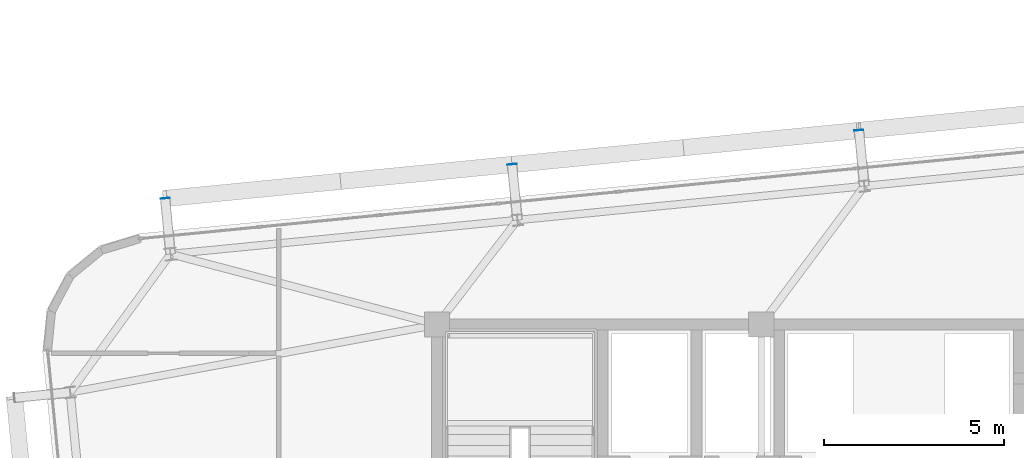
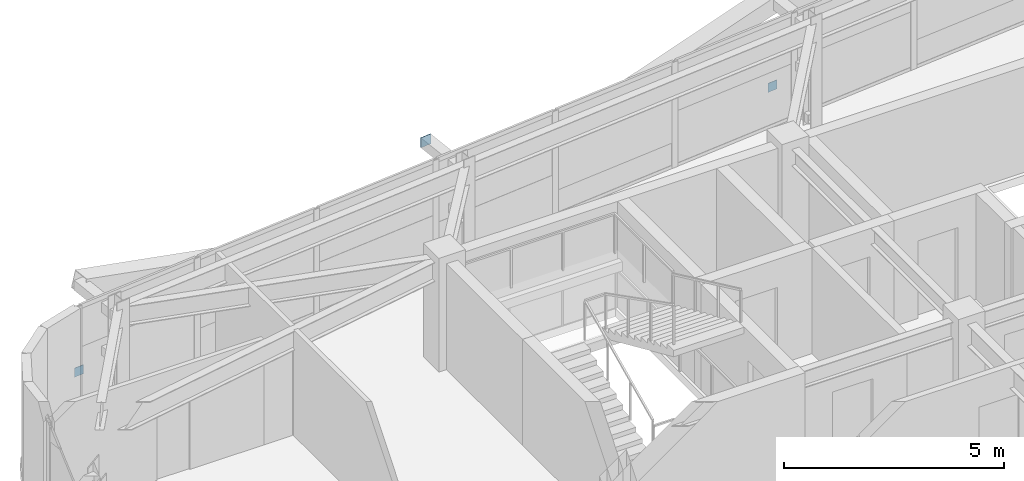
# One storey, part 43 of 52: 3 plates.
"""IFC4 building model written with IfcOpenShell, lengths in metres."""

from ifc_helpers import new_model, si_unit, direction, frame, origin, origin_2d, place, context, subcontext, project, spatial, rectangle, extrude, source, transform, mapped, material, layer, layer_set, type_object, element, save


model = new_model("IFC4")

# Units and contexts
model_context = context("Model", 3, precision=1e-05, world=origin(), true_north=direction((0.0, 1.0)))
body_context = subcontext(model_context, "Body", "Model", "MODEL_VIEW")
ifc_project = project(units=[si_unit("LENGTHUNIT", "METRE"), si_unit("AREAUNIT", "SQUARE_METRE"), si_unit("VOLUMEUNIT", "CUBIC_METRE"), si_unit("PLANEANGLEUNIT", "RADIAN"), si_unit("MASSUNIT", "GRAM", prefix="KILO")], contexts=[model_context])

# Site, building, storey
site_placement = place(None, origin())
site = spatial("IfcSite", under=ifc_project, at=site_placement, CompositionType="ELEMENT")
building_placement = place(site_placement, origin())
building = spatial("IfcBuilding", under=site, at=building_placement, Name="Taldren Reach Tower", CompositionType="ELEMENT")
storey_placement = place(building_placement, frame((0.0, 0.0, 96.60009765625)))
storey = spatial("IfcBuildingStorey", under=building, at=storey_placement, Name="L29", CompositionType="ELEMENT", Elevation=96.60009765625)

# Plates
ifc_material_1 = material(Name="Steel Gr 450 (C450L0)", Category="steel")
ifc_layer_1 = layer(ifc_material_1, 0.011962890625)
ifc_layer_set_1 = layer_set([ifc_layer_1], Name="Steel Gr 450 (C450L0)")
plate_type_1 = type_object("IfcPlateType", Name="PL-CAP-275", PredefinedType="SHEET", material=ifc_layer_set_1)
shared_shape_1 = source(origin(), body_context, "Body", "SweptSolid", [
    extrude(rectangle(XDim=0.27490234375, YDim=0.011962890625, at=origin_2d()), origin(), (0.0, 0.0, 1.0), 0.27490234375),
])
plate_placement = place(storey_placement, frame((21.078857421875, 36.449951171875, 2.512451171875), z_axis=(0.0, 0.0, 1.0), x_axis=(0.995227399982, 0.097582899759, 0.0)))
element("IfcPlate", 1, at=plate_placement, inside=storey, type_object=plate_type_1, Name="Tie strut end cap plate B2-N2 L29", PredefinedType="SHEET", context=body_context, shape_type="MappedRepresentation", body=[
    mapped(shared_shape_1, transform((0.0, 0.0, 0.0), scale=1.0)),
])
ifc_material_2 = material(Name="Steel Gr 350 (C350L0)", Category="steel")
ifc_layer_2 = layer(ifc_material_2, 0.011962890625)
ifc_layer_set_2 = layer_set([ifc_layer_2], Name="Steel Gr 350 (C350L0)")
plate_type_2 = type_object("IfcPlateType", Name="PL-CAP-250", PredefinedType="SHEET", material=ifc_layer_set_2)
shared_shape_2 = source(origin(), body_context, "Body", "SweptSolid", [
    extrude(rectangle(XDim=0.25, YDim=0.011962890625, at=origin_2d()), origin(), (0.0, 0.0, 1.0), 0.25),
])
for number, where, z_axis, x_axis, name in (
    (2, (11.445068359375, 35.50537109375, 0.094970703125), (0.0, 0.0, 1.0), (0.995227399982, 0.097582899759, 0.0), "Tie strut end cap plate B2-N1 L29"),
    (3, (30.712646484375, 37.394775390625, 0.094970703125), (0.0, 0.0, 1.0), (0.995227399982, 0.097582899759, 0.0), "Tie strut end cap plate B2-N3 L29"),
):
    element("IfcPlate", number, at=place(storey_placement, frame(where, z_axis=z_axis, x_axis=x_axis)), inside=storey, type_object=plate_type_2, Name=name, PredefinedType="SHEET", context=body_context, shape_type="MappedRepresentation", body=[
        mapped(shared_shape_2, transform((0.0, 0.0, 0.0), scale=1.0)),
    ])

save(model, "model.ifc")
